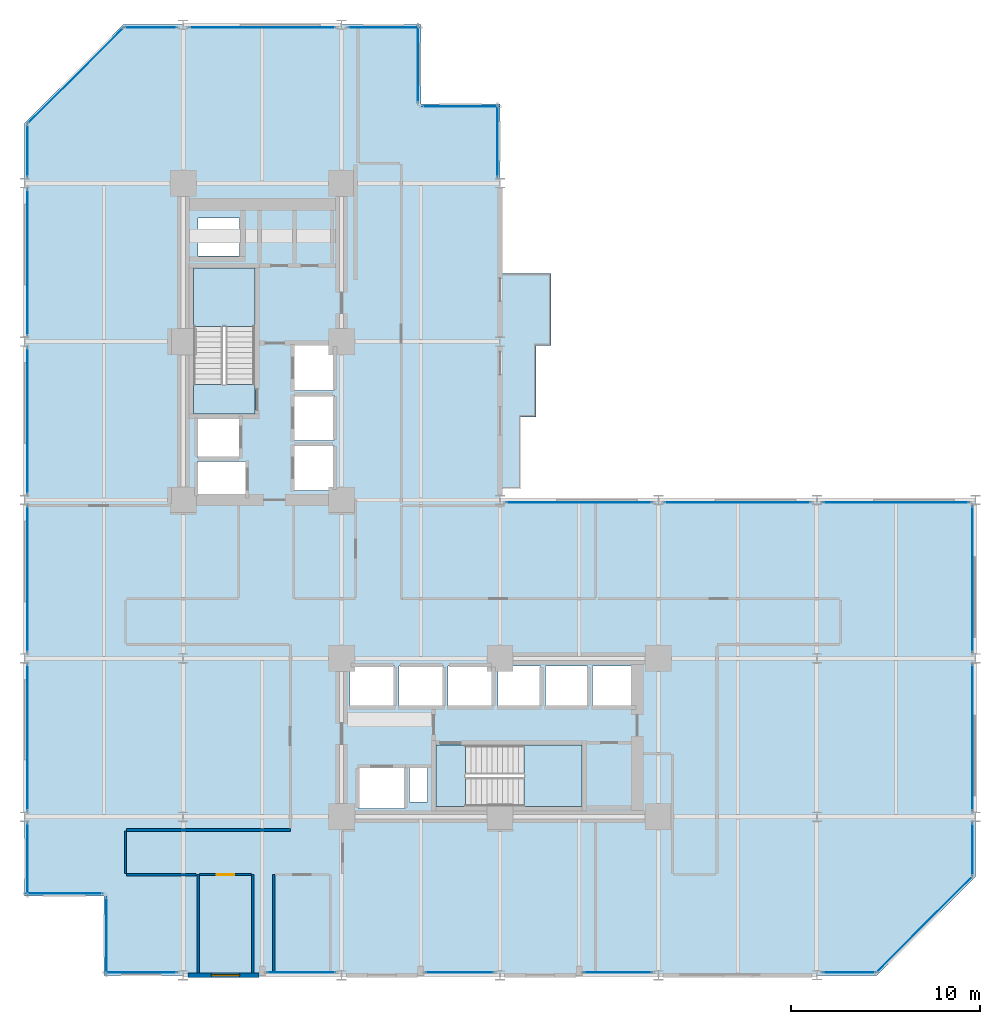
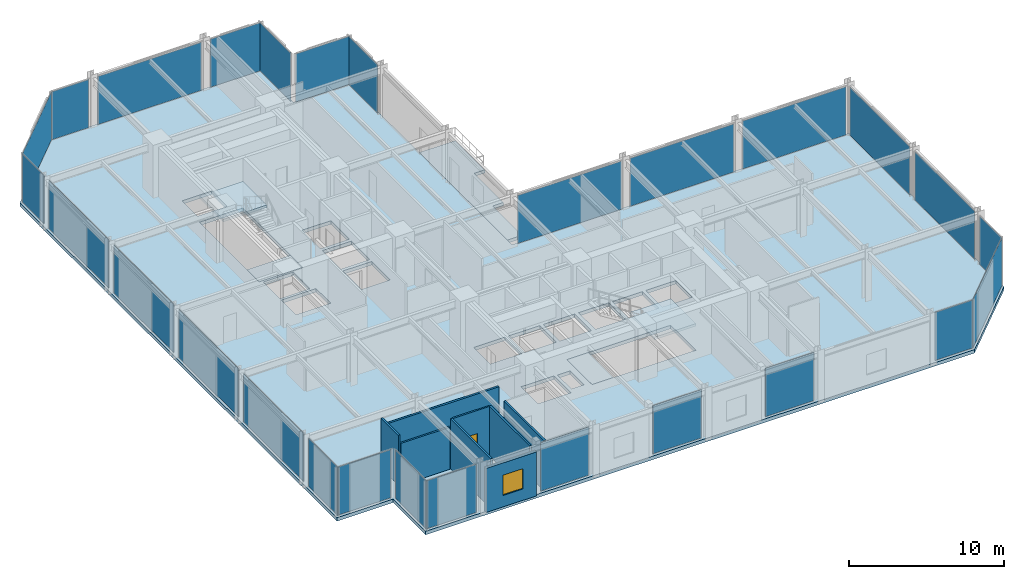
# One storey, part 18 of 24: 27 plates, 8 walls, 6 slabs, 1 door, 1 window, 2 openings, 29 elements without a shape of their own.
"""IFC4 building model written with IfcOpenShell, lengths in metres."""

from ifc_helpers import new_model, si_unit, direction, frame, frame_2d, origin, origin_2d, place, context, subcontext, project, spatial, polyline, rectangle, outline, extrude, material, layer, layer_set, type_object, element, fill, aggregate, save


model = new_model("IFC4")

# Units and contexts
model_context = context("Model", 3, precision=1e-05, world=origin(), true_north=direction((0.0, 1.0)))
body_context = subcontext(model_context, "Body", "Model", "MODEL_VIEW")
ifc_project = project(units=[si_unit("LENGTHUNIT", "METRE"), si_unit("AREAUNIT", "SQUARE_METRE"), si_unit("VOLUMEUNIT", "CUBIC_METRE"), si_unit("PLANEANGLEUNIT", "RADIAN"), si_unit("MASSUNIT", "GRAM", prefix="KILO")], contexts=[model_context])

# Site, building, storey
site_placement = place(None, origin())
site = spatial("IfcSite", under=ifc_project, at=site_placement, CompositionType="ELEMENT")
building_placement = place(site_placement, origin())
building = spatial("IfcBuilding", under=site, at=building_placement, Name="Nerrivon Quay Data Exchange", CompositionType="ELEMENT")
storey_placement = place(building_placement, frame((0.0, 0.0, 45.800048828125)))
storey = spatial("IfcBuildingStorey", under=building, at=storey_placement, Name="L10", CompositionType="ELEMENT", Elevation=45.800048828125)

# Curtain wall, plate
ifc_material_1 = material(Name="Anodised aluminium 6063-T6", Category="aluminium")
ifc_layer_1 = layer(ifc_material_1, 0.219970703125)
ifc_layer_set_1 = layer_set([ifc_layer_1], Name="Anodised aluminium 6063-T6")
curtain_wall_type = type_object("IfcCurtainWallType", Name="CW-SYS-01", PredefinedType="NOTDEFINED", material=ifc_layer_set_1)
curtain_wall_1_placement = place(storey_placement, origin())
curtain_wall_1 = element("IfcCurtainWall", 1, at=curtain_wall_1_placement, inside=storey, type_object=curtain_wall_type, Name="L10 Unitised Curtain Wall 1", PredefinedType="NOTDEFINED")
ifc_material_2 = material(Name="Double-glazed low-E solar control glass", Category="glass")
ifc_layer_2 = layer(ifc_material_2, 0.028076171875)
ifc_layer_set_2 = layer_set([ifc_layer_2], Name="Double-glazed low-E solar control glass")
plate_type = type_object("IfcPlateType", Name="CWP-GLZ-28", PredefinedType="CURTAIN_PANEL", material=ifc_layer_set_2)
plate_1_placement = place(storey_placement, frame((47.700927734375, 2.698974609375, 0.06494140625), z_axis=(0.0, 0.0, 1.0), x_axis=(-0.707106781187, -0.707106781187, 0.0)))
plate_1 = element("IfcPlate", 2, at=plate_1_placement, type_object=plate_type, Name="CW01 panel 1.1", PredefinedType="CURTAIN_PANEL", context=body_context, shape_type="SweptSolid", body=[
    extrude(rectangle(XDim=7.203857421875, YDim=0.028076171875, at=origin_2d()), origin(), (0.0, 0.0, 1.0), 3.794921875),
])
aggregate(curtain_wall_1, [plate_1])

curtain_wall_2_placement = place(storey_placement, origin())
curtain_wall_2 = element("IfcCurtainWall", 3, at=curtain_wall_2_placement, inside=storey, type_object=curtain_wall_type, Name="L10 Unitised Curtain Wall 2", PredefinedType="NOTDEFINED")
plate_2_placement = place(storey_placement, frame((43.72509765625, 0.139892578125, 0.06494140625), z_axis=(0.0, 0.0, 1.0), x_axis=(-1.0, 0.0, 0.0)))
plate_2 = element("IfcPlate", 4, at=plate_2_placement, type_object=plate_type, Name="CW01 panel 1.1", PredefinedType="CURTAIN_PANEL", context=body_context, shape_type="SweptSolid", body=[
    extrude(rectangle(XDim=2.800048828125, YDim=0.028076171875, at=origin_2d()), origin(), (0.0, 0.0, 1.0), 3.794921875),
])
aggregate(curtain_wall_2, [plate_2])

curtain_wall_3_placement = place(storey_placement, origin())
curtain_wall_3 = element("IfcCurtainWall", 5, at=curtain_wall_3_placement, inside=storey, type_object=curtain_wall_type, Name="L10 Unitised Curtain Wall 4", PredefinedType="NOTDEFINED")
plate_3_placement = place(storey_placement, frame((31.46240234375, 0.139892578125, 0.06494140625), z_axis=(0.0, 0.0, 1.0), x_axis=(-1.0, 0.0, 0.0)))
plate_3 = element("IfcPlate", 6, at=plate_3_placement, type_object=plate_type, Name="CW01 panel 1.1", PredefinedType="CURTAIN_PANEL", context=body_context, shape_type="SweptSolid", body=[
    extrude(rectangle(XDim=3.625, YDim=0.028076171875, at=origin_2d()), origin(), (0.0, 0.0, 1.0), 3.794921875),
])
aggregate(curtain_wall_3, [plate_3])

curtain_wall_4_placement = place(storey_placement, origin())
curtain_wall_4 = element("IfcCurtainWall", 7, at=curtain_wall_4_placement, inside=storey, type_object=curtain_wall_type, Name="L10 Unitised Curtain Wall 6", PredefinedType="NOTDEFINED")
plate_4_placement = place(storey_placement, frame((23.0625, 0.139892578125, 0.06494140625), z_axis=(0.0, 0.0, 1.0), x_axis=(-1.0, 0.0, 0.0)))
plate_4 = element("IfcPlate", 8, at=plate_4_placement, type_object=plate_type, Name="CW01 panel 1.1", PredefinedType="CURTAIN_PANEL", context=body_context, shape_type="SweptSolid", body=[
    extrude(rectangle(XDim=3.625, YDim=0.028076171875, at=origin_2d()), origin(), (0.0, 0.0, 1.0), 3.794921875),
])
aggregate(curtain_wall_4, [plate_4])

curtain_wall_5_placement = place(storey_placement, origin())
curtain_wall_5 = element("IfcCurtainWall", 9, at=curtain_wall_5_placement, inside=storey, type_object=curtain_wall_type, Name="L10 Unitised Curtain Wall 8", PredefinedType="NOTDEFINED")
plate_5_placement = place(storey_placement, frame((14.66259765625, 0.139892578125, 0.06494140625), z_axis=(0.0, 0.0, 1.0), x_axis=(-1.0, 0.0, 0.0)))
plate_5 = element("IfcPlate", 10, at=plate_5_placement, type_object=plate_type, Name="CW01 panel 1.1", PredefinedType="CURTAIN_PANEL", context=body_context, shape_type="SweptSolid", body=[
    extrude(rectangle(XDim=3.625, YDim=0.028076171875, at=origin_2d()), origin(), (0.0, 0.0, 1.0), 3.794921875),
])
aggregate(curtain_wall_5, [plate_5])

curtain_wall_6_placement = place(storey_placement, origin())
curtain_wall_6 = element("IfcCurtainWall", 11, at=curtain_wall_6_placement, inside=storey, type_object=curtain_wall_type, Name="L10 Unitised Curtain Wall 10", PredefinedType="NOTDEFINED")
plate_6_placement = place(storey_placement, frame((6.175048828125, 0.139892578125, 0.06494140625), z_axis=(0.0, 0.0, 1.0), x_axis=(-1.0, 0.0, 0.0)))
plate_6 = element("IfcPlate", 12, at=plate_6_placement, type_object=plate_type, Name="CW01 panel 1.1", PredefinedType="CURTAIN_PANEL", context=body_context, shape_type="SweptSolid", body=[
    extrude(rectangle(XDim=3.800048828125, YDim=0.028076171875, at=origin_2d()), origin(), (0.0, 0.0, 1.0), 3.794921875),
])
aggregate(curtain_wall_6, [plate_6])

curtain_wall_7_placement = place(storey_placement, origin())
curtain_wall_7 = element("IfcCurtainWall", 13, at=curtain_wall_7_placement, inside=storey, type_object=curtain_wall_type, Name="L10 Unitised Curtain Wall 11", PredefinedType="NOTDEFINED")
plate_7_placement = place(storey_placement, frame((4.340087890625, 2.10009765625, 0.06494140625), z_axis=(0.0, 0.0, 1.0), x_axis=(0.0, 1.0, 0.0)))
plate_7 = element("IfcPlate", 14, at=plate_7_placement, type_object=plate_type, Name="CW01 panel 1.1", PredefinedType="CURTAIN_PANEL", context=body_context, shape_type="SweptSolid", body=[
    extrude(rectangle(XDim=4.050048828125, YDim=0.028076171875, at=origin_2d()), origin(), (0.0, 0.0, 1.0), 3.794921875),
])
aggregate(curtain_wall_7, [plate_7])

curtain_wall_8_placement = place(storey_placement, origin())
curtain_wall_8 = element("IfcCurtainWall", 15, at=curtain_wall_8_placement, inside=storey, type_object=curtain_wall_type, Name="L10 Unitised Curtain Wall 12", PredefinedType="NOTDEFINED")
plate_8_placement = place(storey_placement, frame((2.10009765625, 4.340087890625, 0.06494140625), z_axis=(0.0, 0.0, 1.0), x_axis=(-1.0, 0.0, 0.0)))
plate_8 = element("IfcPlate", 16, at=plate_8_placement, type_object=plate_type, Name="CW01 panel 1.1", PredefinedType="CURTAIN_PANEL", context=body_context, shape_type="SweptSolid", body=[
    extrude(rectangle(XDim=4.050048828125, YDim=0.028076171875, at=origin_2d()), origin(), (0.0, 0.0, 1.0), 3.794921875),
])
aggregate(curtain_wall_8, [plate_8])

curtain_wall_9_placement = place(storey_placement, origin())
curtain_wall_9 = element("IfcCurtainWall", 17, at=curtain_wall_9_placement, inside=storey, type_object=curtain_wall_type, Name="L10 Unitised Curtain Wall 13", PredefinedType="NOTDEFINED")
plate_9_placement = place(storey_placement, frame((0.139892578125, 6.175048828125, 0.06494140625), z_axis=(0.0, 0.0, 1.0), x_axis=(0.0, 1.0, 0.0)))
plate_9 = element("IfcPlate", 18, at=plate_9_placement, type_object=plate_type, Name="CW01 panel 1.1", PredefinedType="CURTAIN_PANEL", context=body_context, shape_type="SweptSolid", body=[
    extrude(rectangle(XDim=3.800048828125, YDim=0.028076171875, at=origin_2d()), origin(), (0.0, 0.0, 1.0), 3.794921875),
])
aggregate(curtain_wall_9, [plate_9])

curtain_wall_10_placement = place(storey_placement, origin())
curtain_wall_10 = element("IfcCurtainWall", 19, at=curtain_wall_10_placement, inside=storey, type_object=curtain_wall_type, Name="L10 Unitised Curtain Wall 14", PredefinedType="NOTDEFINED")
plate_10_placement = place(storey_placement, frame((0.139892578125, 12.60009765625, 0.06494140625), z_axis=(0.0, 0.0, 1.0), x_axis=(0.0, 1.0, 0.0)))
plate_10 = element("IfcPlate", 20, at=plate_10_placement, type_object=plate_type, Name="CW01 panel 1.1", PredefinedType="CURTAIN_PANEL", context=body_context, shape_type="SweptSolid", body=[
    extrude(rectangle(XDim=7.75, YDim=0.028076171875, at=origin_2d()), origin(), (0.0, 0.0, 1.0), 3.794921875),
])
aggregate(curtain_wall_10, [plate_10])

curtain_wall_11_placement = place(storey_placement, origin())
curtain_wall_11 = element("IfcCurtainWall", 21, at=curtain_wall_11_placement, inside=storey, type_object=curtain_wall_type, Name="L10 Unitised Curtain Wall 15", PredefinedType="NOTDEFINED")
plate_11_placement = place(storey_placement, frame((0.139892578125, 21.0, 0.06494140625), z_axis=(0.0, 0.0, 1.0), x_axis=(0.0, 1.0, 0.0)))
plate_11 = element("IfcPlate", 22, at=plate_11_placement, type_object=plate_type, Name="CW01 panel 1.1", PredefinedType="CURTAIN_PANEL", context=body_context, shape_type="SweptSolid", body=[
    extrude(rectangle(XDim=7.75, YDim=0.028076171875, at=origin_2d()), origin(), (0.0, 0.0, 1.0), 3.794921875),
])
aggregate(curtain_wall_11, [plate_11])

curtain_wall_12_placement = place(storey_placement, origin())
curtain_wall_12 = element("IfcCurtainWall", 23, at=curtain_wall_12_placement, inside=storey, type_object=curtain_wall_type, Name="L10 Unitised Curtain Wall 16", PredefinedType="NOTDEFINED")
plate_12_placement = place(storey_placement, frame((0.139892578125, 29.39990234375, 0.06494140625), z_axis=(0.0, 0.0, 1.0), x_axis=(0.0, 1.0, 0.0)))
plate_12 = element("IfcPlate", 24, at=plate_12_placement, type_object=plate_type, Name="CW01 panel 1.1", PredefinedType="CURTAIN_PANEL", context=body_context, shape_type="SweptSolid", body=[
    extrude(rectangle(XDim=7.75, YDim=0.028076171875, at=origin_2d()), origin(), (0.0, 0.0, 1.0), 3.794921875),
])
aggregate(curtain_wall_12, [plate_12])

curtain_wall_13_placement = place(storey_placement, origin())
curtain_wall_13 = element("IfcCurtainWall", 25, at=curtain_wall_13_placement, inside=storey, type_object=curtain_wall_type, Name="L10 Unitised Curtain Wall 17", PredefinedType="NOTDEFINED")
plate_13_placement = place(storey_placement, frame((0.139892578125, 37.800048828125, 0.06494140625), z_axis=(0.0, 0.0, 1.0), x_axis=(0.0, 1.0, 0.0)))
plate_13 = element("IfcPlate", 26, at=plate_13_placement, type_object=plate_type, Name="CW01 panel 1.1", PredefinedType="CURTAIN_PANEL", context=body_context, shape_type="SweptSolid", body=[
    extrude(rectangle(XDim=7.75, YDim=0.028076171875, at=origin_2d()), origin(), (0.0, 0.0, 1.0), 3.794921875),
])
aggregate(curtain_wall_13, [plate_13])

curtain_wall_14_placement = place(storey_placement, origin())
curtain_wall_14 = element("IfcCurtainWall", 27, at=curtain_wall_14_placement, inside=storey, type_object=curtain_wall_type, Name="L10 Unitised Curtain Wall 18", PredefinedType="NOTDEFINED")
plate_14_placement = place(storey_placement, frame((0.139892578125, 43.72509765625, 0.06494140625), z_axis=(0.0, 0.0, 1.0), x_axis=(0.0, 1.0, 0.0)))
plate_14 = element("IfcPlate", 28, at=plate_14_placement, type_object=plate_type, Name="CW01 panel 1.1", PredefinedType="CURTAIN_PANEL", context=body_context, shape_type="SweptSolid", body=[
    extrude(rectangle(XDim=2.800048828125, YDim=0.028076171875, at=origin_2d()), origin(), (0.0, 0.0, 1.0), 3.794921875),
])
aggregate(curtain_wall_14, [plate_14])

curtain_wall_15_placement = place(storey_placement, origin())
curtain_wall_15 = element("IfcCurtainWall", 29, at=curtain_wall_15_placement, inside=storey, type_object=curtain_wall_type, Name="L10 Unitised Curtain Wall 19", PredefinedType="NOTDEFINED")
plate_15_placement = place(storey_placement, frame((2.698974609375, 47.700927734375, 0.06494140625), z_axis=(0.0, 0.0, 1.0), x_axis=(0.707106781187, 0.707106781187, 0.0)))
plate_15 = element("IfcPlate", 30, at=plate_15_placement, type_object=plate_type, Name="CW01 panel 1.1", PredefinedType="CURTAIN_PANEL", context=body_context, shape_type="SweptSolid", body=[
    extrude(rectangle(XDim=7.203857421875, YDim=0.028076171875, at=origin_2d()), origin(), (0.0, 0.0, 1.0), 3.794921875),
])
aggregate(curtain_wall_15, [plate_15])

curtain_wall_16_placement = place(storey_placement, origin())
curtain_wall_16 = element("IfcCurtainWall", 31, at=curtain_wall_16_placement, inside=storey, type_object=curtain_wall_type, Name="L10 Unitised Curtain Wall 20", PredefinedType="NOTDEFINED")
plate_16_placement = place(storey_placement, frame((6.675048828125, 50.260009765625, 0.06494140625), z_axis=(0.0, 0.0, 1.0), x_axis=(1.0, 0.0, 0.0)))
plate_16 = element("IfcPlate", 32, at=plate_16_placement, type_object=plate_type, Name="CW01 panel 1.1", PredefinedType="CURTAIN_PANEL", context=body_context, shape_type="SweptSolid", body=[
    extrude(rectangle(XDim=2.800048828125, YDim=0.028076171875, at=origin_2d()), origin(), (0.0, 0.0, 1.0), 3.794921875),
])
aggregate(curtain_wall_16, [plate_16])

curtain_wall_17_placement = place(storey_placement, origin())
curtain_wall_17 = element("IfcCurtainWall", 33, at=curtain_wall_17_placement, inside=storey, type_object=curtain_wall_type, Name="L10 Unitised Curtain Wall 21", PredefinedType="NOTDEFINED")
plate_17_placement = place(storey_placement, frame((12.60009765625, 50.260009765625, 0.06494140625), z_axis=(0.0, 0.0, 1.0), x_axis=(1.0, 0.0, 0.0)))
plate_17 = element("IfcPlate", 34, at=plate_17_placement, type_object=plate_type, Name="CW01 panel 1.1", PredefinedType="CURTAIN_PANEL", context=body_context, shape_type="SweptSolid", body=[
    extrude(rectangle(XDim=7.75, YDim=0.028076171875, at=origin_2d()), origin(), (0.0, 0.0, 1.0), 3.794921875),
])
aggregate(curtain_wall_17, [plate_17])

curtain_wall_18_placement = place(storey_placement, origin())
curtain_wall_18 = element("IfcCurtainWall", 35, at=curtain_wall_18_placement, inside=storey, type_object=curtain_wall_type, Name="L10 Unitised Curtain Wall 22", PredefinedType="NOTDEFINED")
plate_18_placement = place(storey_placement, frame((19.02490234375, 50.260009765625, 0.06494140625), z_axis=(0.0, 0.0, 1.0), x_axis=(1.0, 0.0, 0.0)))
plate_18 = element("IfcPlate", 36, at=plate_18_placement, type_object=plate_type, Name="CW01 panel 1.1", PredefinedType="CURTAIN_PANEL", context=body_context, shape_type="SweptSolid", body=[
    extrude(rectangle(XDim=3.800048828125, YDim=0.028076171875, at=origin_2d()), origin(), (0.0, 0.0, 1.0), 3.794921875),
])
aggregate(curtain_wall_18, [plate_18])

curtain_wall_19_placement = place(storey_placement, origin())
curtain_wall_19 = element("IfcCurtainWall", 37, at=curtain_wall_19_placement, inside=storey, type_object=curtain_wall_type, Name="L10 Unitised Curtain Wall 23", PredefinedType="NOTDEFINED")
plate_19_placement = place(storey_placement, frame((20.860107421875, 48.300048828125, 0.06494140625), z_axis=(0.0, 0.0, 1.0), x_axis=(0.0, -1.0, 0.0)))
plate_19 = element("IfcPlate", 38, at=plate_19_placement, type_object=plate_type, Name="CW01 panel 1.1", PredefinedType="CURTAIN_PANEL", context=body_context, shape_type="SweptSolid", body=[
    extrude(rectangle(XDim=4.050048828125, YDim=0.028076171875, at=origin_2d()), origin(), (0.0, 0.0, 1.0), 3.794921875),
])
aggregate(curtain_wall_19, [plate_19])

curtain_wall_20_placement = place(storey_placement, origin())
curtain_wall_20 = element("IfcCurtainWall", 39, at=curtain_wall_20_placement, inside=storey, type_object=curtain_wall_type, Name="L10 Unitised Curtain Wall 24", PredefinedType="NOTDEFINED")
plate_20_placement = place(storey_placement, frame((23.10009765625, 46.06005859375, 0.06494140625), z_axis=(0.0, 0.0, 1.0), x_axis=(1.0, 0.0, 0.0)))
plate_20 = element("IfcPlate", 40, at=plate_20_placement, type_object=plate_type, Name="CW01 panel 1.1", PredefinedType="CURTAIN_PANEL", context=body_context, shape_type="SweptSolid", body=[
    extrude(rectangle(XDim=4.050048828125, YDim=0.028076171875, at=origin_2d()), origin(), (0.0, 0.0, 1.0), 3.794921875),
])
aggregate(curtain_wall_20, [plate_20])

curtain_wall_21_placement = place(storey_placement, origin())
curtain_wall_21 = element("IfcCurtainWall", 41, at=curtain_wall_21_placement, inside=storey, type_object=curtain_wall_type, Name="L10 Unitised Curtain Wall 25", PredefinedType="NOTDEFINED")
plate_21_placement = place(storey_placement, frame((25.06005859375, 44.22509765625, 0.06494140625), z_axis=(0.0, 0.0, 1.0), x_axis=(0.0, -1.0, 0.0)))
plate_21 = element("IfcPlate", 42, at=plate_21_placement, type_object=plate_type, Name="CW01 panel 1.1", PredefinedType="CURTAIN_PANEL", context=body_context, shape_type="SweptSolid", body=[
    extrude(rectangle(XDim=3.800048828125, YDim=0.028076171875, at=origin_2d()), origin(), (0.0, 0.0, 1.0), 3.794921875),
])
aggregate(curtain_wall_21, [plate_21])

curtain_wall_22_placement = place(storey_placement, origin())
curtain_wall_22 = element("IfcCurtainWall", 43, at=curtain_wall_22_placement, inside=storey, type_object=curtain_wall_type, Name="L10 Unitised Curtain Wall 28", PredefinedType="NOTDEFINED")
plate_22_placement = place(storey_placement, frame((29.39990234375, 25.06005859375, 0.06494140625), z_axis=(0.0, 0.0, 1.0), x_axis=(1.0, 0.0, 0.0)))
plate_22 = element("IfcPlate", 44, at=plate_22_placement, type_object=plate_type, Name="CW01 panel 1.1", PredefinedType="CURTAIN_PANEL", context=body_context, shape_type="SweptSolid", body=[
    extrude(rectangle(XDim=7.75, YDim=0.028076171875, at=origin_2d()), origin(), (0.0, 0.0, 1.0), 3.794921875),
])
aggregate(curtain_wall_22, [plate_22])

curtain_wall_23_placement = place(storey_placement, origin())
curtain_wall_23 = element("IfcCurtainWall", 45, at=curtain_wall_23_placement, inside=storey, type_object=curtain_wall_type, Name="L10 Unitised Curtain Wall 29", PredefinedType="NOTDEFINED")
plate_23_placement = place(storey_placement, frame((37.800048828125, 25.06005859375, 0.06494140625), z_axis=(0.0, 0.0, 1.0), x_axis=(1.0, 0.0, 0.0)))
plate_23 = element("IfcPlate", 46, at=plate_23_placement, type_object=plate_type, Name="CW01 panel 1.1", PredefinedType="CURTAIN_PANEL", context=body_context, shape_type="SweptSolid", body=[
    extrude(rectangle(XDim=7.75, YDim=0.028076171875, at=origin_2d()), origin(), (0.0, 0.0, 1.0), 3.794921875),
])
aggregate(curtain_wall_23, [plate_23])

curtain_wall_24_placement = place(storey_placement, origin())
curtain_wall_24 = element("IfcCurtainWall", 47, at=curtain_wall_24_placement, inside=storey, type_object=curtain_wall_type, Name="L10 Unitised Curtain Wall 30", PredefinedType="NOTDEFINED")
plate_24_placement = place(storey_placement, frame((46.199951171875, 25.06005859375, 0.06494140625), z_axis=(0.0, 0.0, 1.0), x_axis=(1.0, 0.0, 0.0)))
plate_24 = element("IfcPlate", 48, at=plate_24_placement, type_object=plate_type, Name="CW01 panel 1.1", PredefinedType="CURTAIN_PANEL", context=body_context, shape_type="SweptSolid", body=[
    extrude(rectangle(XDim=7.75, YDim=0.028076171875, at=origin_2d()), origin(), (0.0, 0.0, 1.0), 3.794921875),
])
aggregate(curtain_wall_24, [plate_24])

curtain_wall_25_placement = place(storey_placement, origin())
curtain_wall_25 = element("IfcCurtainWall", 49, at=curtain_wall_25_placement, inside=storey, type_object=curtain_wall_type, Name="L10 Unitised Curtain Wall 31", PredefinedType="NOTDEFINED")
plate_25_placement = place(storey_placement, frame((50.260009765625, 21.0, 0.06494140625), z_axis=(0.0, 0.0, 1.0), x_axis=(0.0, -1.0, 0.0)))
plate_25 = element("IfcPlate", 50, at=plate_25_placement, type_object=plate_type, Name="CW01 panel 1.1", PredefinedType="CURTAIN_PANEL", context=body_context, shape_type="SweptSolid", body=[
    extrude(rectangle(XDim=7.75, YDim=0.028076171875, at=origin_2d()), origin(), (0.0, 0.0, 1.0), 3.794921875),
])
aggregate(curtain_wall_25, [plate_25])

curtain_wall_26_placement = place(storey_placement, origin())
curtain_wall_26 = element("IfcCurtainWall", 51, at=curtain_wall_26_placement, inside=storey, type_object=curtain_wall_type, Name="L10 Unitised Curtain Wall 32", PredefinedType="NOTDEFINED")
plate_26_placement = place(storey_placement, frame((50.260009765625, 12.60009765625, 0.06494140625), z_axis=(0.0, 0.0, 1.0), x_axis=(0.0, -1.0, 0.0)))
plate_26 = element("IfcPlate", 52, at=plate_26_placement, type_object=plate_type, Name="CW01 panel 1.1", PredefinedType="CURTAIN_PANEL", context=body_context, shape_type="SweptSolid", body=[
    extrude(rectangle(XDim=7.75, YDim=0.028076171875, at=origin_2d()), origin(), (0.0, 0.0, 1.0), 3.794921875),
])
aggregate(curtain_wall_26, [plate_26])

curtain_wall_27_placement = place(storey_placement, origin())
curtain_wall_27 = element("IfcCurtainWall", 53, at=curtain_wall_27_placement, inside=storey, type_object=curtain_wall_type, Name="L10 Unitised Curtain Wall 33", PredefinedType="NOTDEFINED")
plate_27_placement = place(storey_placement, frame((50.260009765625, 6.675048828125, 0.06494140625), z_axis=(0.0, 0.0, 1.0), x_axis=(0.0, -1.0, 0.0)))
plate_27 = element("IfcPlate", 54, at=plate_27_placement, type_object=plate_type, Name="CW01 panel 1.1", PredefinedType="CURTAIN_PANEL", context=body_context, shape_type="SweptSolid", body=[
    extrude(rectangle(XDim=2.800048828125, YDim=0.028076171875, at=origin_2d()), origin(), (0.0, 0.0, 1.0), 3.794921875),
])
aggregate(curtain_wall_27, [plate_27])

# Slab
ifc_material_3 = material(Name="Precast white architectural concrete N50 (50 MPa)", Category="concrete")
ifc_layer_3 = layer(ifc_material_3, 0.25)
ifc_layer_set_3 = layer_set([ifc_layer_3], Name="Precast white architectural concrete N50 (50 MPa)")
slab_type_1 = type_object("IfcSlabType", Name="SLB-BAL-250", PredefinedType="FLOOR", material=ifc_layer_set_3)
slab_1_placement = place(storey_placement, frame((0.0, 0.0, -0.25)))
element("IfcSlab", 55, at=slab_1_placement, inside=storey, type_object=slab_type_1, Name="L10 Waterfront Subtropical Verandah", PredefinedType="FLOOR", context=body_context, shape_type="SweptSolid", body=[
    extrude(outline(polyline([(26.300048828125, 29.60009765625), (27.10009765625, 29.60009765625), (27.10009765625, 33.39990234375), (27.89990234375, 33.39990234375), (27.89990234375, 37.199951171875), (25.199951171875, 37.199951171875), (25.199951171875, 33.39990234375), (25.199951171875, 29.60009765625), (25.199951171875, 25.800048828125), (26.300048828125, 25.800048828125), (26.300048828125, 29.60009765625)])), origin(), (0.0, 0.0, 1.0), 0.25),
])

# Stair, slab
ifc_material_4 = material(Name="Concrete N50 (50 MPa)", Category="concrete")
stair_type = type_object("IfcStairType", Name="STAIR-DOG-42", PredefinedType="HALF_TURN_STAIR", material=ifc_material_4)
stair_1_placement = place(storey_placement, origin())
stair_1 = element("IfcStair", 56, at=stair_1_placement, inside=storey, type_object=stair_type, Name="L10 West Core Fire Stair ST01", PredefinedType="HALF_TURN_STAIR")
ifc_layer_4 = layer(ifc_material_4, 0.199951171875)
ifc_layer_set_4 = layer_set([ifc_layer_4], Name="Concrete N50 (50 MPa)")
slab_type_2 = type_object("IfcSlabType", Name="SLB-LAND-200", PredefinedType="LANDING", material=ifc_layer_set_4)
slab_2_placement = place(storey_placement, frame((0.0, 0.0, 1.89990234375)))
slab_2 = element("IfcSlab", 57, at=slab_2_placement, type_object=slab_type_2, Name="ST01 landing 1", PredefinedType="LANDING", context=body_context, shape_type="SweptSolid", body=[
    extrude(outline(polyline([(12.199951171875, 34.409912109375), (12.199951171875, 37.5), (8.949951171875, 37.5), (8.949951171875, 34.409912109375), (12.199951171875, 34.409912109375)])), origin(), (0.0, 0.0, 1.0), 0.199951171875),
])
aggregate(stair_1, [slab_2])

# Slab
slab_3_placement = place(storey_placement, frame((0.0, 0.0, -0.199951171875)))
element("IfcSlab", 58, at=slab_3_placement, inside=storey, type_object=slab_type_2, Name="L10 ST01 floor landing", PredefinedType="LANDING", context=body_context, shape_type="SweptSolid", body=[
    extrude(outline(polyline([(12.199951171875, 29.75), (12.199951171875, 31.330078125), (8.949951171875, 31.330078125), (8.949951171875, 29.75), (12.199951171875, 29.75)])), origin(), (0.0, 0.0, 1.0), 0.199951171875),
])

# Stair, slab
stair_2_placement = place(storey_placement, origin())
stair_2 = element("IfcStair", 59, at=stair_2_placement, inside=storey, type_object=stair_type, Name="L10 East Core Fire Stair ST02", PredefinedType="HALF_TURN_STAIR")
slab_4_placement = place(storey_placement, frame((0.0, 0.0, 1.89990234375)))
slab_4 = element("IfcSlab", 60, at=slab_4_placement, type_object=slab_type_2, Name="ST02 landing 1", PredefinedType="LANDING", context=body_context, shape_type="SweptSolid", body=[
    extrude(outline(polyline([(26.4599609375, 8.949951171875), (29.550048828125, 8.949951171875), (29.550048828125, 12.199951171875), (26.4599609375, 12.199951171875), (26.4599609375, 8.949951171875)])), origin(), (0.0, 0.0, 1.0), 0.199951171875),
])
aggregate(stair_2, [slab_4])

# Slabs
slab_5_placement = place(storey_placement, frame((0.0, 0.0, -0.199951171875)))
element("IfcSlab", 61, at=slab_5_placement, inside=storey, type_object=slab_type_2, Name="L10 ST02 floor landing", PredefinedType="LANDING", context=body_context, shape_type="SweptSolid", body=[
    extrude(outline(polyline([(21.800048828125, 8.949951171875), (23.3798828125, 8.949951171875), (23.3798828125, 12.199951171875), (21.800048828125, 12.199951171875), (21.800048828125, 8.949951171875)])), origin(), (0.0, 0.0, 1.0), 0.199951171875),
])
ifc_layer_5 = layer(ifc_material_4, 0.27490234375)
ifc_layer_set_5 = layer_set([ifc_layer_5], Name="Concrete N50 (50 MPa)")
slab_type_3 = type_object("IfcSlabType", Name="SLB-TOW-275", PredefinedType="FLOOR", material=ifc_layer_set_5)
slab_6_placement = place(storey_placement, frame((0.0, 0.0, -0.275146484375)))
element("IfcSlab", 62, at=slab_6_placement, inside=storey, type_object=slab_type_3, Name="L10 Primary Structural Slab", PredefinedType="FLOOR", context=body_context, shape_type="SweptSolid", body=[
    extrude(outline(polyline([(50.39990234375, 25.199951171875), (25.199951171875, 25.199951171875), (25.199951171875, 46.199951171875), (21.0, 46.199951171875), (21.0, 50.39990234375), (5.199951171875, 50.39990234375), (0.0, 45.199951171875), (0.0, 4.199951171875), (4.199951171875, 4.199951171875), (4.199951171875, 0.0), (45.199951171875, 0.0), (50.39990234375, 5.199951171875), (50.39990234375, 25.199951171875)]), holes=[polyline([(8.949951171875, 29.75), (8.949951171875, 37.5), (12.199951171875, 37.5), (12.199951171875, 29.75), (8.949951171875, 29.75)]), polyline([(21.800048828125, 12.199951171875), (29.550048828125, 12.199951171875), (29.550048828125, 8.949951171875), (21.800048828125, 8.949951171875), (21.800048828125, 12.199951171875)]), polyline([(30.10009765625, 16.39990234375), (32.35009765625, 16.39990234375), (32.35009765625, 14.25), (30.10009765625, 14.25), (30.10009765625, 16.39990234375)]), polyline([(27.60009765625, 16.39990234375), (29.85009765625, 16.39990234375), (29.85009765625, 14.25), (27.60009765625, 14.25), (27.60009765625, 16.39990234375)]), polyline([(25.10009765625, 16.39990234375), (27.35009765625, 16.39990234375), (27.35009765625, 14.25), (25.10009765625, 14.25), (25.10009765625, 16.39990234375)]), polyline([(22.449951171875, 16.39990234375), (24.800048828125, 16.39990234375), (24.800048828125, 14.25), (22.449951171875, 14.25), (22.449951171875, 16.39990234375)]), polyline([(19.85009765625, 16.39990234375), (22.199951171875, 16.39990234375), (22.199951171875, 14.25), (19.85009765625, 14.25), (19.85009765625, 16.39990234375)]), polyline([(20.39990234375, 11.0), (21.35009765625, 11.0), (21.35009765625, 9.199951171875), (20.39990234375, 9.199951171875), (20.39990234375, 11.0)]), polyline([(17.699951171875, 8.830078125), (17.699951171875, 11.030029296875), (20.14990234375, 11.030029296875), (20.14990234375, 8.830078125), (17.699951171875, 8.830078125)]), polyline([(17.25, 14.25), (17.25, 16.39990234375), (19.60009765625, 16.39990234375), (19.60009765625, 14.25), (17.25, 14.25)]), polyline([(14.25, 28.10009765625), (16.39990234375, 28.10009765625), (16.39990234375, 25.699951171875), (14.25, 25.699951171875), (14.25, 28.10009765625)]), polyline([(14.25, 30.75), (16.39990234375, 30.75), (16.39990234375, 28.35009765625), (14.25, 28.35009765625), (14.25, 30.75)]), polyline([(14.25, 33.39990234375), (16.39990234375, 33.39990234375), (16.39990234375, 31.0), (14.25, 31.0), (14.25, 33.39990234375)]), polyline([(9.14990234375, 27.25), (11.75, 27.25), (11.75, 25.35009765625), (9.14990234375, 25.35009765625), (9.14990234375, 27.25)]), polyline([(9.14990234375, 29.60009765625), (11.39990234375, 29.60009765625), (11.39990234375, 27.449951171875), (9.14990234375, 27.449951171875), (9.14990234375, 29.60009765625)]), polyline([(9.199951171875, 40.14990234375), (11.39990234375, 40.14990234375), (11.39990234375, 38.14990234375), (9.199951171875, 38.14990234375), (9.199951171875, 40.14990234375)])]), origin(), (0.0, 0.0, 1.0), 0.275146484375),
])

# Wall, opening, window
ifc_material_5 = material(Name="Architectural terracotta precast concrete N50 (50 MPa)", Category="masonry")
ifc_layer_6 = layer(ifc_material_5, 0.239990234375)
ifc_layer_set_6 = layer_set([ifc_layer_6], Name="Architectural terracotta precast concrete N50 (50 MPa)")
wall_type_1 = type_object("IfcWallType", Name="EW-PREC-240", PredefinedType="STANDARD", material=ifc_layer_set_6)
wall_1_placement = place(storey_placement, frame((12.425048828125, 0.0, 0.0), z_axis=(0.0, 0.0, 1.0), x_axis=(-1.0, 0.0, 0.0)))
wall_1 = element("IfcWall", 63, at=wall_1_placement, inside=storey, type_object=wall_type_1, Name="L10 Podium Precast Spandrel Wall 9", PredefinedType="STANDARD", context=body_context, shape_type="SweptSolid", body=[
    extrude(rectangle(XDim=3.775146484375, YDim=0.239990234375, at=frame_2d((1.8876953125, 0.0))), origin(), (0.0, 0.0, 1.0), 3.470947265625),
])
opening_1_placement = place(wall_1_placement, frame((1.02490234375, 0.0, 0.89990234375)))
opening_1 = element("IfcOpeningElement", 64, at=opening_1_placement, cuts=wall_1, Name="Opening WN4", PredefinedType="OPENING", context=body_context, shape_type="SweptSolid", body=[
    extrude(rectangle(XDim=1.5, YDim=1.60009765625, at=frame_2d((0.75, 0.800048828125))), frame((0.0, 0.1298828125, 0.0), z_axis=(0.0, -1.0, 0.0), x_axis=(1.0, 0.0, 0.0)), (0.0, 0.0, 1.0), 0.260009765625),
])
window_type = type_object("IfcWindowType", Name="WIN-W4-1500x1600", PartitioningType="SINGLE_PANEL", PredefinedType="WINDOW", material=ifc_material_2)
window_placement = place(opening_1_placement, origin())
window = element("IfcWindow", 65, at=window_placement, inside=storey, type_object=window_type, Name="L10 Solar Facade Window 9", OverallHeight=1.60009765625, OverallWidth=1.5, PartitioningType="SINGLE_PANEL", PredefinedType="WINDOW", context=body_context, shape_type="SweptSolid", body=[
    extrude(rectangle(XDim=1.5, YDim=1.60009765625, at=frame_2d((0.75, 0.800048828125))), frame((0.0, 0.030029296875, 0.0), z_axis=(0.0, -1.0, 0.0), x_axis=(1.0, 0.0, 0.0)), (0.0, 0.0, 1.0), 0.06005859375),
])
fill(opening_1, window)

# Wall, opening, door
ifc_material_6 = material(Name="Gypsum plasterboard on cold-formed framing", Category="gypsum")
ifc_layer_7 = layer(ifc_material_6, 0.1201171875)
ifc_layer_set_7 = layer_set([ifc_layer_7], Name="Gypsum plasterboard on cold-formed framing")
wall_type_2 = type_object("IfcWallType", Name="WALL-PT-120", PredefinedType="PARTITIONING", material=ifc_layer_set_7)
wall_2_placement = place(storey_placement, frame((12.028564453125, 5.340087890625, 0.0), z_axis=(0.0, 0.0, 1.0), x_axis=(-1.0, 0.0, 0.0)))
wall_2 = element("IfcWall", 66, at=wall_2_placement, inside=storey, type_object=wall_type_2, Name="L10 Partition Public Washrooms", PredefinedType="PARTITIONING", context=body_context, shape_type="SweptSolid", body=[
    extrude(rectangle(XDim=2.757080078125, YDim=0.1201171875, at=frame_2d((1.37841796875, 0.0))), origin(), (0.0, 0.0, 1.0), 3.925048828125),
])
opening_2_placement = place(wall_2_placement, frame((0.91845703125, 0.0, 0.0)))
opening_2 = element("IfcOpeningElement", 67, at=opening_2_placement, cuts=wall_2, Name="Opening D-WC", PredefinedType="OPENING", context=body_context, shape_type="SweptSolid", body=[
    extrude(rectangle(XDim=0.919921875, YDim=2.10009765625, at=frame_2d((0.4599609375, 1.050048828125))), frame((0.0, 0.070068359375, 0.0), z_axis=(0.0, -1.0, 0.0), x_axis=(1.0, 0.0, 0.0)), (0.0, 0.0, 1.0), 0.14013671875),
])
ifc_material_7 = material(Name="Engineered hardwood timber", Category="wood")
door_type = type_object("IfcDoorType", Name="DR-WC-920", OperationType="NOTDEFINED", PredefinedType="DOOR", material=ifc_material_7)
door_placement = place(opening_2_placement, origin())
door = element("IfcDoor", 68, at=door_placement, inside=storey, type_object=door_type, Name="L10 Door Public Washrooms", OperationType="SINGLE_SWING_LEFT", OverallHeight=2.10009765625, OverallWidth=0.919921875, PredefinedType="DOOR", context=body_context, shape_type="SweptSolid", body=[
    extrude(rectangle(XDim=0.919921875, YDim=2.10009765625, at=frame_2d((0.4599609375, 1.050048828125))), frame((0.0, 0.02490234375, 0.0), z_axis=(0.0, -1.0, 0.0), x_axis=(1.0, 0.0, 0.0)), (0.0, 0.0, 1.0), 0.050048828125),
])
fill(opening_2, door)

# Walls
wall_3_placement = place(storey_placement, frame((5.340087890625, 5.39990234375, 0.0), z_axis=(0.0, 0.0, 1.0), x_axis=(0.0, 1.0, 0.0)))
element("IfcWall", 69, at=wall_3_placement, inside=storey, type_object=wall_type_2, Name="L10 Partition Cloud Compute Workspace 1", PredefinedType="PARTITIONING", context=body_context, shape_type="SweptSolid", body=[
    extrude(rectangle(XDim=2.25, YDim=0.1201171875, at=frame_2d((1.125, 0.0))), origin(), (0.0, 0.0, 1.0), 3.925048828125),
])
ifc_layer_8 = layer(ifc_material_6, 0.135009765625)
ifc_layer_set_8 = layer_set([ifc_layer_8], Name="Gypsum plasterboard on cold-formed framing")
wall_type_3 = type_object("IfcWallType", Name="WALL-PT-135", PredefinedType="PARTITIONING", material=ifc_layer_set_8)
wall_4_placement = place(storey_placement, frame((13.199951171875, 5.340087890625, 0.0), z_axis=(0.0, 0.0, 1.0), x_axis=(0.0, -1.0, 0.0)))
element("IfcWall", 70, at=wall_4_placement, inside=storey, type_object=wall_type_3, Name="L10 Partition Accessible Toilet", PredefinedType="PARTITIONING", context=body_context, shape_type="SweptSolid", body=[
    extrude(rectangle(XDim=5.171142578125, YDim=0.135009765625, at=frame_2d((2.58544921875, 0.0))), origin(), (0.0, 0.0, 1.0), 3.925048828125),
])
for number, where, z_axis, x_axis, name in (
    (71, (9.199951171875, 5.340087890625, 0.0), (0.0, 0.0, 1.0), (0.0, -1.0, 0.0), "L10 Partition Public Washrooms"),
    (72, (12.10009765625, 0.1240234375, 0.0), (0.0, 0.0, 1.0), (0.0, 1.0, 0.0), "L10 Partition Public Washrooms"),
):
    element("IfcWall", number, at=place(storey_placement, frame(where, z_axis=z_axis, x_axis=x_axis)), inside=storey, type_object=wall_type_3, Name=name, PredefinedType="PARTITIONING", context=body_context, shape_type="SweptSolid", body=[
        extrude(rectangle(XDim=5.216064453125, YDim=0.135009765625, at=frame_2d((2.60791015625, 0.0))), origin(), (0.0, 0.0, 1.0), 3.925048828125),
    ])
wall_5_placement = place(storey_placement, frame((9.080078125, 5.340087890625, 0.0), z_axis=(0.0, 0.0, 1.0), x_axis=(-1.0, 0.0, 0.0)))
element("IfcWall", 73, at=wall_5_placement, inside=storey, type_object=wall_type_3, Name="L10 Partition Cloud Compute Workspace 1", PredefinedType="PARTITIONING", context=body_context, shape_type="SweptSolid", body=[
    extrude(rectangle(XDim=3.68017578125, YDim=0.135009765625, at=frame_2d((1.840087890625, 0.0))), origin(), (0.0, 0.0, 1.0), 3.322998046875),
])
ifc_layer_9 = layer(ifc_material_6, 0.14990234375)
ifc_layer_set_9 = layer_set([ifc_layer_9], Name="Gypsum plasterboard on cold-formed framing")
wall_type_4 = type_object("IfcWallType", Name="WALL-PT-150", PredefinedType="PARTITIONING", material=ifc_layer_set_9)
wall_6_placement = place(storey_placement, frame((5.39990234375, 7.7099609375, 0.0), z_axis=(0.0, 0.0, 1.0), x_axis=(1.0, 0.0, 0.0)))
element("IfcWall", 74, at=wall_6_placement, inside=storey, type_object=wall_type_4, Name="L10 Partition Cloud Compute Workspace 1", PredefinedType="PARTITIONING", context=body_context, shape_type="SweptSolid", body=[
    extrude(rectangle(XDim=8.690185546875, YDim=0.14990234375, at=frame_2d((4.34521484375, 0.0))), origin(), (0.0, 0.0, 1.0), 3.322998046875),
])

save(model, "model.ifc")
